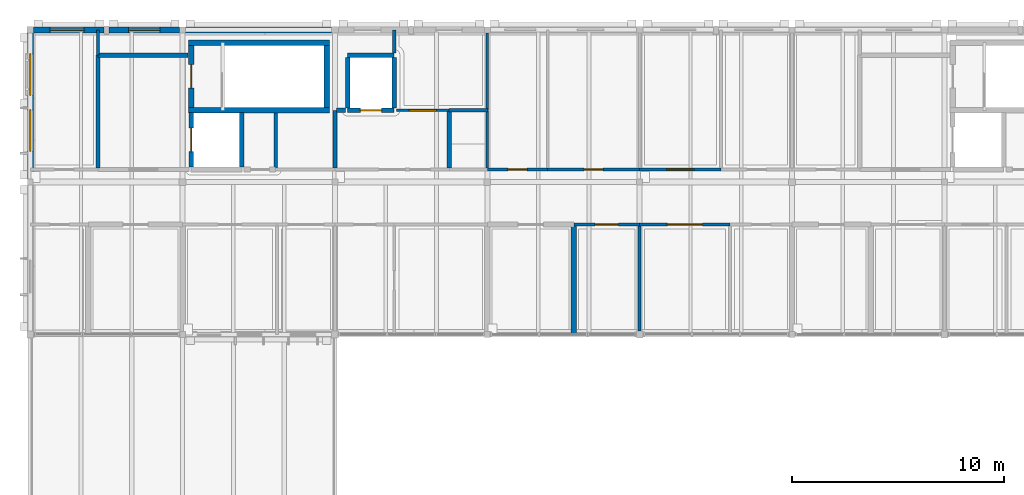
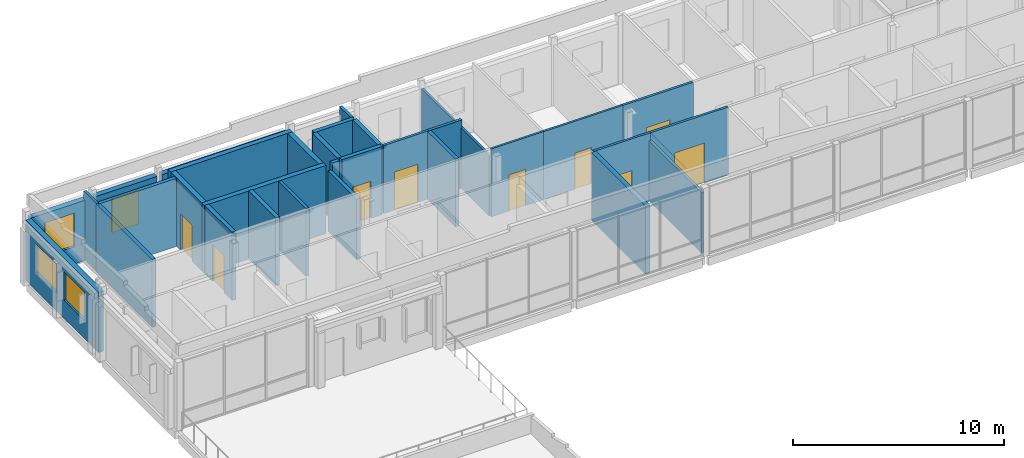
# One storey, part 25 of 32: 33 walls, 9 doors, 4 windows, 13 openings.
"""IFC4 building model written with IfcOpenShell, lengths in metres."""

from ifc_helpers import new_model, si_unit, direction, frame, frame_2d, origin, place, context, subcontext, project, spatial, rectangle, extrude, material, layer, layer_set, type_object, element, fill, save


model = new_model("IFC4")

# Units and contexts
model_context = context("Model", 3, precision=1e-05, world=origin(), true_north=direction((0.0, 1.0)))
body_context = subcontext(model_context, "Body", "Model", "MODEL_VIEW")
ifc_project = project(units=[si_unit("LENGTHUNIT", "METRE"), si_unit("AREAUNIT", "SQUARE_METRE"), si_unit("VOLUMEUNIT", "CUBIC_METRE"), si_unit("PLANEANGLEUNIT", "RADIAN"), si_unit("MASSUNIT", "GRAM", prefix="KILO")], contexts=[model_context])

# Site, building, storey
site_placement = place(None, origin())
site = spatial("IfcSite", under=ifc_project, at=site_placement, CompositionType="ELEMENT")
building_placement = place(site_placement, origin())
building = spatial("IfcBuilding", under=site, at=building_placement, Name="Hawrajan Terrace Health Centre", CompositionType="ELEMENT")
storey_placement = place(building_placement, frame((0.0, 0.0, 17.39990234375)))
storey = spatial("IfcBuildingStorey", under=building, at=storey_placement, Name="L04", CompositionType="ELEMENT", Elevation=17.39990234375)

# Wall, opening, door
ifc_material_1 = material(Name="Gypsum board on acoustic stud framing")
ifc_layer_1 = layer(ifc_material_1, 0.139892578125)
ifc_layer_set_1 = layer_set([ifc_layer_1], Name="Gypsum board on acoustic stud framing")
wall_type_1 = type_object("IfcWallType", Name="ClinicalAcousticWall_140", PredefinedType="PARTITIONING", material=ifc_layer_set_1)
wall_1_placement = place(storey_placement, frame((21.909912109375, 56.0, 0.0), z_axis=(0.0, 0.0, 1.0), x_axis=(1.0, 0.0, 0.0)))
wall_1 = element("IfcWall", 1, at=wall_1_placement, inside=storey, type_object=wall_type_1, Name="Interior wall IW-L04-1434", PredefinedType="PARTITIONING", context=body_context, shape_type="SweptSolid", body=[
    extrude(rectangle(XDim=2.489990234375, YDim=0.139892578125, at=frame_2d((1.2451171875, 0.0))), origin(), (0.0, 0.0, 1.0), 3.93017578125),
])
opening_1_placement = place(wall_1_placement, frame((0.60498046875, 0.0, 0.0)))
opening_1 = element("IfcOpeningElement", 2, at=opening_1_placement, cuts=wall_1, Name="Opening D-L04-652", PredefinedType="OPENING", context=body_context, shape_type="SweptSolid", body=[
    extrude(rectangle(XDim=1.280029296875, YDim=2.199951171875, at=frame_2d((0.64013671875, 1.10009765625))), frame((0.0, 0.079833984375, 0.0), z_axis=(0.0, -1.0, 0.0), x_axis=(1.0, 0.0, 0.0)), (0.0, 0.0, 1.0), 0.159912109375),
])
ifc_material_2 = material(Name="Hardwood acoustic clinical door leaf and frame", Category="wood")
door_type_1 = type_object("IfcDoorType", Name="ExamSuiteDoor_1280x2200", OperationType="NOTDEFINED", PredefinedType="DOOR", material=ifc_material_2)
door_1_placement = place(opening_1_placement, origin())
door_1 = element("IfcDoor", 3, at=door_1_placement, inside=storey, type_object=door_type_1, Name="Interior door D-L04-652", OperationType="SINGLE_SWING_RIGHT", OverallHeight=2.199951171875, OverallWidth=1.280029296875, PredefinedType="DOOR", context=body_context, shape_type="SweptSolid", body=[
    extrude(rectangle(XDim=1.280029296875, YDim=2.199951171875, at=frame_2d((0.64013671875, 1.10009765625))), frame((0.0, 0.02490234375, 0.0), z_axis=(0.0, -1.0, 0.0), x_axis=(1.0, 0.0, 0.0)), (0.0, 0.0, 1.0), 0.050048828125),
])
fill(opening_1, door_1)

wall_2_placement = place(storey_placement, frame((30.2900390625, 50.60009765625, 0.0), z_axis=(0.0, 0.0, 1.0), x_axis=(1.0, 0.0, 0.0)))
wall_2 = element("IfcWall", 4, at=wall_2_placement, inside=storey, type_object=wall_type_1, Name="Interior wall IW-L04-1442", PredefinedType="PARTITIONING", context=body_context, shape_type="SweptSolid", body=[
    extrude(rectangle(XDim=3.10986328125, YDim=0.139892578125, at=frame_2d((1.554931640625, 0.0))), origin(), (0.0, 0.0, 1.0), 3.93017578125),
])
opening_2_placement = place(wall_2_placement, frame((1.0048828125, 0.0, 0.0)))
opening_2 = element("IfcOpeningElement", 5, at=opening_2_placement, cuts=wall_2, Name="Opening D-L04-654", PredefinedType="OPENING", context=body_context, shape_type="SweptSolid", body=[
    extrude(rectangle(XDim=1.10009765625, YDim=2.10009765625, at=frame_2d((0.550048828125, 1.050048828125))), frame((0.0, 0.079833984375, 0.0), z_axis=(0.0, -1.0, 0.0), x_axis=(1.0, 0.0, 0.0)), (0.0, 0.0, 1.0), 0.159912109375),
])
door_type_2 = type_object("IfcDoorType", Name="ConsultDoor_1100x2100", OperationType="NOTDEFINED", PredefinedType="DOOR", material=ifc_material_2)
door_2_placement = place(opening_2_placement, origin())
door_2 = element("IfcDoor", 6, at=door_2_placement, inside=storey, type_object=door_type_2, Name="Interior door D-L04-654", OperationType="SINGLE_SWING_RIGHT", OverallHeight=2.10009765625, OverallWidth=1.10009765625, PredefinedType="DOOR", context=body_context, shape_type="SweptSolid", body=[
    extrude(rectangle(XDim=1.10009765625, YDim=2.10009765625, at=frame_2d((0.550048828125, 1.050048828125))), frame((0.0, 0.02490234375, 0.0), z_axis=(0.0, -1.0, 0.0), x_axis=(1.0, 0.0, 0.0)), (0.0, 0.0, 1.0), 0.050048828125),
])
fill(opening_2, door_2)

# Wall
wall_3_placement = place(storey_placement, frame((33.39990234375, 45.56005859375, 0.0), z_axis=(0.0, 0.0, 1.0), x_axis=(0.0, 1.0, 0.0)))
element("IfcWall", 7, at=wall_3_placement, inside=storey, type_object=wall_type_1, Name="Interior wall IW-L04-1443", PredefinedType="PARTITIONING", context=body_context, shape_type="SweptSolid", body=[
    extrude(rectangle(XDim=4.969970703125, YDim=0.139892578125, at=frame_2d((2.48486328125, 0.0))), origin(), (0.0, 0.0, 1.0), 3.489990234375),
])

# Wall, opening, door
wall_4_placement = place(storey_placement, frame((33.39990234375, 50.60009765625, 0.0), z_axis=(0.0, 0.0, 1.0), x_axis=(1.0, 0.0, 0.0)))
wall_4 = element("IfcWall", 8, at=wall_4_placement, inside=storey, type_object=wall_type_1, Name="Interior wall IW-L04-1444", PredefinedType="PARTITIONING", context=body_context, shape_type="SweptSolid", body=[
    extrude(rectangle(XDim=4.27001953125, YDim=0.139892578125, at=frame_2d((2.135009765625, 0.0))), origin(), (0.0, 0.0, 1.0), 3.93017578125),
])
opening_3_placement = place(wall_4_placement, frame((1.304931640625, 0.0, 0.0)))
opening_3 = element("IfcOpeningElement", 9, at=opening_3_placement, cuts=wall_4, Name="Opening D-L04-655", PredefinedType="OPENING", context=body_context, shape_type="SweptSolid", body=[
    extrude(rectangle(XDim=1.659912109375, YDim=2.300048828125, at=frame_2d((0.830078125, 1.14990234375))), frame((0.0, 0.079833984375, 0.0), z_axis=(0.0, -1.0, 0.0), x_axis=(1.0, 0.0, 0.0)), (0.0, 0.0, 1.0), 0.159912109375),
])
door_type_3 = type_object("IfcDoorType", Name="RehabGymDoor_1660x2300", OperationType="DOUBLE_DOOR_SINGLE_SWING", PredefinedType="DOOR", material=ifc_material_2)
door_3_placement = place(opening_3_placement, origin())
door_3 = element("IfcDoor", 10, at=door_3_placement, inside=storey, type_object=door_type_3, Name="Interior door D-L04-655", OperationType="DOUBLE_DOOR_SINGLE_SWING", OverallHeight=2.300048828125, OverallWidth=1.659912109375, PredefinedType="DOOR", context=body_context, shape_type="SweptSolid", body=[
    extrude(rectangle(XDim=1.659912109375, YDim=2.300048828125, at=frame_2d((0.830078125, 1.14990234375))), frame((0.0, 0.02490234375, 0.0), z_axis=(0.0, -1.0, 0.0), x_axis=(1.0, 0.0, 0.0)), (0.0, 0.0, 1.0), 0.050048828125),
])
fill(opening_3, door_3)

wall_5_placement = place(storey_placement, frame((33.39990234375, 53.199951171875, 0.0), z_axis=(0.0, 0.0, 1.0), x_axis=(1.0, 0.0, 0.0)))
wall_5 = element("IfcWall", 11, at=wall_5_placement, inside=storey, type_object=wall_type_1, Name="Interior wall IW-L04-1446", PredefinedType="PARTITIONING", context=body_context, shape_type="SweptSolid", body=[
    extrude(rectangle(XDim=3.84521484375, YDim=0.139892578125, at=frame_2d((1.922607421875, 0.0))), origin(), (0.0, 0.0, 1.0), 3.93017578125),
])
opening_4_placement = place(wall_5_placement, frame((1.282470703125, 0.0, 0.0)))
opening_4 = element("IfcOpeningElement", 12, at=opening_4_placement, cuts=wall_5, Name="Opening D-L04-657", PredefinedType="OPENING", context=body_context, shape_type="SweptSolid", body=[
    extrude(rectangle(XDim=1.280029296875, YDim=2.199951171875, at=frame_2d((0.64013671875, 1.10009765625))), frame((0.0, 0.079833984375, 0.0), z_axis=(0.0, -1.0, 0.0), x_axis=(1.0, 0.0, 0.0)), (0.0, 0.0, 1.0), 0.159912109375),
])
door_4_placement = place(opening_4_placement, origin())
door_4 = element("IfcDoor", 13, at=door_4_placement, inside=storey, type_object=door_type_1, Name="Interior door D-L04-657", OperationType="SINGLE_SWING_LEFT", OverallHeight=2.199951171875, OverallWidth=1.280029296875, PredefinedType="DOOR", context=body_context, shape_type="SweptSolid", body=[
    extrude(rectangle(XDim=1.280029296875, YDim=2.199951171875, at=frame_2d((0.64013671875, 1.10009765625))), frame((0.0, 0.02490234375, 0.0), z_axis=(0.0, -1.0, 0.0), x_axis=(1.0, 0.0, 0.0)), (0.0, 0.0, 1.0), 0.050048828125),
])
fill(opening_4, door_4)

# Walls
ifc_material_3 = material(Name="Concrete C40/50", Category="concrete")
ifc_layer_2 = layer(ifc_material_3, 0.260009765625)
ifc_layer_set_2 = layer_set([ifc_layer_2], Name="Concrete C40/50")
wall_type_2 = type_object("IfcWallType", Name="CoreShearWall_RC260", PredefinedType="SHEAR", material=ifc_layer_set_2)
for number, where, z_axis, x_axis, name in (
    (14, (12.070068359375, 56.0, 0.0), (0.0, 0.0, 1.0), (1.0, 0.0, 0.0), "Core shear wall SW-C1-L04-S"),
    (15, (12.070068359375, 59.199951171875, 0.0), (0.0, 0.0, 1.0), (1.0, 0.0, 0.0), "Core shear wall SW-C1-L04-N"),
):
    element("IfcWall", number, at=place(storey_placement, frame(where, z_axis=z_axis, x_axis=x_axis)), inside=storey, type_object=wall_type_2, Name=name, PredefinedType="SHEAR", context=body_context, shape_type="SweptSolid", body=[
        extrude(rectangle(XDim=6.659912109375, YDim=0.260009765625, at=frame_2d((3.330078125, 0.0))), origin(), (0.0, 0.0, 1.0), 3.9501953125),
    ])

# Wall, opening, door
wall_6_placement = place(storey_placement, frame((12.199951171875, 56.1298828125, 0.0), z_axis=(0.0, 0.0, 1.0), x_axis=(0.0, 1.0, 0.0)))
wall_6 = element("IfcWall", 16, at=wall_6_placement, inside=storey, type_object=wall_type_2, Name="Core shear wall SW-C1-L04-W", PredefinedType="SHEAR", context=body_context, shape_type="SweptSolid", body=[
    extrude(rectangle(XDim=2.940185546875, YDim=0.260009765625, at=frame_2d((1.47021484375, 0.0))), origin(), (0.0, 0.0, 1.0), 3.9501953125),
])
opening_5_placement = place(wall_6_placement, frame((0.909912109375, 0.0, 0.0)))
opening_5 = element("IfcOpeningElement", 17, at=opening_5_placement, cuts=wall_6, Name="Opening D-L04-635", PredefinedType="OPENING", context=body_context, shape_type="SweptSolid", body=[
    extrude(rectangle(XDim=1.1201171875, YDim=2.10009765625, at=frame_2d((0.56005859375, 1.050048828125))), frame((0.0, 0.139892578125, 0.0), z_axis=(0.0, -1.0, 0.0), x_axis=(1.0, 0.0, 0.0)), (0.0, 0.0, 1.0), 0.280029296875),
])
ifc_material_4 = material(Name="Timber-veneered acoustic fire-resisting door assembly", Category="wood")
door_type_4 = type_object("IfcDoorType", Name="CoreStairDoor_1120x2100", OperationType="NOTDEFINED", PredefinedType="DOOR", material=ifc_material_4)
door_5_placement = place(opening_5_placement, origin())
door_5 = element("IfcDoor", 18, at=door_5_placement, inside=storey, type_object=door_type_4, Name="Interior door D-L04-635", OperationType="SINGLE_SWING_LEFT", OverallHeight=2.10009765625, OverallWidth=1.1201171875, PredefinedType="DOOR", context=body_context, shape_type="SweptSolid", body=[
    extrude(rectangle(XDim=1.1201171875, YDim=2.10009765625, at=frame_2d((0.56005859375, 1.050048828125))), frame((0.0, 0.02490234375, 0.0), z_axis=(0.0, -1.0, 0.0), x_axis=(1.0, 0.0, 0.0)), (0.0, 0.0, 1.0), 0.050048828125),
])
fill(opening_5, door_5)

# Walls
wall_7_placement = place(storey_placement, frame((18.60009765625, 56.1298828125, 0.0), z_axis=(0.0, 0.0, 1.0), x_axis=(0.0, 1.0, 0.0)))
element("IfcWall", 19, at=wall_7_placement, inside=storey, type_object=wall_type_2, Name="Core shear wall SW-C1-L04-E", PredefinedType="SHEAR", context=body_context, shape_type="SweptSolid", body=[
    extrude(rectangle(XDim=2.940185546875, YDim=0.260009765625, at=frame_2d((1.47021484375, 0.0))), origin(), (0.0, 0.0, 1.0), 3.9501953125),
])
ifc_layer_3 = layer(ifc_material_1, 0.159912109375)
ifc_layer_set_3 = layer_set([ifc_layer_3], Name="Gypsum board on acoustic stud framing")
wall_type_3 = type_object("IfcWallType", Name="CorridorFireWall_160", PredefinedType="PARTITIONING", material=ifc_layer_set_3)
wall_8_placement = place(storey_placement, frame((16.199951171875, 53.27001953125, 0.0), z_axis=(0.0, 0.0, 1.0), x_axis=(0.0, 1.0, 0.0)))
element("IfcWall", 20, at=wall_8_placement, inside=storey, type_object=wall_type_3, Name="Interior wall IW-L04-1464", PredefinedType="PARTITIONING", context=body_context, shape_type="SweptSolid", body=[
    extrude(rectangle(XDim=2.590087890625, YDim=0.159912109375, at=frame_2d((1.294921875, 0.0))), origin(), (0.0, 0.0, 1.0), 3.93017578125),
])
wall_9_placement = place(storey_placement, frame((7.800048828125, 58.60009765625, 0.0), z_axis=(0.0, 0.0, 1.0), x_axis=(0.0, 1.0, 0.0)))
element("IfcWall", 21, at=wall_9_placement, inside=storey, type_object=wall_type_3, Name="Interior wall IW-L04-1475", PredefinedType="PARTITIONING", context=body_context, shape_type="SweptSolid", body=[
    extrude(rectangle(XDim=1.199951171875, YDim=0.159912109375, at=frame_2d((0.60009765625, 0.0))), origin(), (0.0, 0.0, 1.0), 3.93017578125),
])
wall_10_placement = place(storey_placement, frame((24.39990234375, 56.0, 0.0), z_axis=(0.0, 0.0, 1.0), x_axis=(1.0, 0.0, 0.0)))
element("IfcWall", 22, at=wall_10_placement, inside=storey, type_object=wall_type_3, Name="Interior wall IW-L04-1476", PredefinedType="PARTITIONING", context=body_context, shape_type="SweptSolid", body=[
    extrude(rectangle(XDim=1.800048828125, YDim=0.159912109375, at=frame_2d((0.89990234375, 0.0))), origin(), (0.0, 0.0, 1.0), 3.93017578125),
])
wall_11_placement = place(storey_placement, frame((21.800048828125, 58.7099609375, 0.0), z_axis=(0.0, 0.0, 1.0), x_axis=(0.0, 1.0, 0.0)))
element("IfcWall", 23, at=wall_11_placement, inside=storey, type_object=wall_type_3, Name="Interior wall IW-L04-1477", PredefinedType="PARTITIONING", context=body_context, shape_type="SweptSolid", body=[
    extrude(rectangle(XDim=1.090087890625, YDim=0.159912109375, at=frame_2d((0.544921875, 0.0))), origin(), (0.0, 0.0, 1.0), 3.93017578125),
])
ifc_material_5 = material(Name="Cross-laminated timber CLT C24", Category="wood")
ifc_layer_4 = layer(ifc_material_5, 0.199951171875)
ifc_layer_set_4 = layer_set([ifc_layer_4], Name="Cross-laminated timber CLT C24")
wall_type_4 = type_object("IfcWallType", Name="FireCompartmentWall_200", PredefinedType="PARTITIONING", material=ifc_layer_set_4)
wall_12_placement = place(storey_placement, frame((7.800048828125, 53.27001953125, 0.0), z_axis=(0.0, 0.0, 1.0), x_axis=(0.0, 1.0, 0.0)))
element("IfcWall", 24, at=wall_12_placement, inside=storey, type_object=wall_type_4, Name="Interior wall IW-L04-1422", PredefinedType="PARTITIONING", context=body_context, shape_type="SweptSolid", body=[
    extrude(rectangle(XDim=5.330078125, YDim=0.199951171875, at=frame_2d((2.6650390625, 0.0))), origin(), (0.0, 0.0, 1.0), 3.93017578125),
])
wall_13_placement = place(storey_placement, frame((12.06005859375, 58.60009765625, 0.0), z_axis=(0.0, 0.0, 1.0), x_axis=(-1.0, 0.0, 0.0)))
element("IfcWall", 25, at=wall_13_placement, inside=storey, type_object=wall_type_4, Name="Interior wall IW-L04-1466", PredefinedType="PARTITIONING", context=body_context, shape_type="SweptSolid", body=[
    extrude(rectangle(XDim=4.260009765625, YDim=0.199951171875, at=frame_2d((2.1298828125, 0.0))), origin(), (0.0, 0.0, 1.0), 3.93017578125),
])
wall_14_placement = place(storey_placement, frame((24.39990234375, 53.27001953125, 0.0), z_axis=(0.0, 0.0, 1.0), x_axis=(0.0, 1.0, 0.0)))
element("IfcWall", 26, at=wall_14_placement, inside=storey, type_object=wall_type_4, Name="Interior wall IW-L04-1468", PredefinedType="PARTITIONING", context=body_context, shape_type="SweptSolid", body=[
    extrude(rectangle(XDim=2.659912109375, YDim=0.199951171875, at=frame_2d((1.330078125, 0.0))), origin(), (0.0, 0.0, 1.0), 3.93017578125),
])
wall_15_placement = place(storey_placement, frame((19.489990234375, 56.0, 0.0), z_axis=(0.0, 0.0, 1.0), x_axis=(-1.0, 0.0, 0.0)))
element("IfcWall", 27, at=wall_15_placement, inside=storey, type_object=wall_type_4, Name="Interior wall IW-L04-1469", PredefinedType="PARTITIONING", context=body_context, shape_type="SweptSolid", body=[
    extrude(rectangle(XDim=0.409912109375, YDim=0.199951171875, at=frame_2d((0.205078125, 0.0))), origin(), (0.0, 0.0, 1.0), 3.93017578125),
])
wall_16_placement = place(storey_placement, frame((19.0, 53.27001953125, 0.0), z_axis=(0.0, 0.0, 1.0), x_axis=(0.0, 1.0, 0.0)))
element("IfcWall", 28, at=wall_16_placement, inside=storey, type_object=wall_type_4, Name="Interior wall IW-L04-1470", PredefinedType="PARTITIONING", context=body_context, shape_type="SweptSolid", body=[
    extrude(rectangle(XDim=2.72998046875, YDim=0.199951171875, at=frame_2d((1.364990234375, 0.0))), origin(), (0.0, 0.0, 1.0), 3.489990234375),
])

# Wall, opening, window
ifc_layer_5 = layer(ifc_material_5, 0.2900390625)
ifc_layer_set_5 = layer_set([ifc_layer_5], Name="Cross-laminated timber CLT C24")
wall_type_5 = type_object("IfcWallType", Name="InsulatedTimberFacade_290", PredefinedType="SOLIDWALL", material=ifc_layer_set_5)
wall_17_placement = place(storey_placement, frame((4.760009765625, 59.800048828125, 0.0), z_axis=(0.0, 0.0, 1.0), x_axis=(1.0, 0.0, 0.0)))
wall_17 = element("IfcWall", 29, at=wall_17_placement, inside=storey, type_object=wall_type_5, Name="Exterior wall EW-L04-H00-07-1", PredefinedType="SOLIDWALL", context=body_context, shape_type="SweptSolid", body=[
    extrude(rectangle(XDim=3.320068359375, YDim=0.2900390625, at=frame_2d((1.66015625, 0.0))), origin(), (0.0, 0.0, 1.0), 3.489990234375),
])
opening_6_placement = place(wall_17_placement, frame((0.77001953125, 0.0, 1.0)))
opening_6 = element("IfcOpeningElement", 30, at=opening_6_placement, cuts=wall_17, Name="Opening W-L04-213", PredefinedType="OPENING", context=body_context, shape_type="SweptSolid", body=[
    extrude(rectangle(XDim=1.6201171875, YDim=1.949951171875, at=frame_2d((0.81005859375, 0.97509765625))), frame((0.0, 0.155029296875, 0.0), z_axis=(0.0, -1.0, 0.0), x_axis=(1.0, 0.0, 0.0)), (0.0, 0.0, 1.0), 0.31005859375),
])
ifc_material_6 = material(Name="Anodized bronze frame with double low-E glazing", Category="glass")
window_type_1 = type_object("IfcWindowType", Name="FacadeWindow_1620x1950", PartitioningType="DOUBLE_PANEL_VERTICAL", PredefinedType="WINDOW", material=ifc_material_6)
window_1_placement = place(opening_6_placement, origin())
window_1 = element("IfcWindow", 31, at=window_1_placement, inside=storey, type_object=window_type_1, Name="Window W-L04-213", OverallHeight=1.949951171875, OverallWidth=1.6201171875, PartitioningType="DOUBLE_PANEL_VERTICAL", PredefinedType="WINDOW", context=body_context, shape_type="SweptSolid", body=[
    extrude(rectangle(XDim=1.6201171875, YDim=1.949951171875, at=frame_2d((0.81005859375, 0.97509765625))), frame((0.0, 0.030029296875, 0.0), z_axis=(0.0, -1.0, 0.0), x_axis=(1.0, 0.0, 0.0)), (0.0, 0.0, 1.0), 0.06005859375),
])
fill(opening_6, window_1)

wall_18_placement = place(storey_placement, frame((8.320068359375, 59.800048828125, 0.0), z_axis=(0.0, 0.0, 1.0), x_axis=(1.0, 0.0, 0.0)))
wall_18 = element("IfcWall", 32, at=wall_18_placement, inside=storey, type_object=wall_type_5, Name="Exterior wall EW-L04-H00-07-2", PredefinedType="SOLIDWALL", context=body_context, shape_type="SweptSolid", body=[
    extrude(rectangle(XDim=3.33984375, YDim=0.2900390625, at=frame_2d((1.669921875, 0.0))), origin(), (0.0, 0.0, 1.0), 3.489990234375),
])
opening_7_placement = place(wall_18_placement, frame((0.929931640625, 0.0, 1.0)))
opening_7 = element("IfcOpeningElement", 33, at=opening_7_placement, cuts=wall_18, Name="Opening W-L04-214", PredefinedType="OPENING", context=body_context, shape_type="SweptSolid", body=[
    extrude(rectangle(XDim=1.47998046875, YDim=1.949951171875, at=frame_2d((0.739990234375, 0.97509765625))), frame((0.0, 0.155029296875, 0.0), z_axis=(0.0, -1.0, 0.0), x_axis=(1.0, 0.0, 0.0)), (0.0, 0.0, 1.0), 0.31005859375),
])
window_type_2 = type_object("IfcWindowType", Name="FacadeWindow_1480x1950", PartitioningType="SINGLE_PANEL", PredefinedType="WINDOW", material=ifc_material_6)
window_2_placement = place(opening_7_placement, origin())
window_2 = element("IfcWindow", 34, at=window_2_placement, inside=storey, type_object=window_type_2, Name="Window W-L04-214", OverallHeight=1.949951171875, OverallWidth=1.47998046875, PartitioningType="SINGLE_PANEL", PredefinedType="WINDOW", context=body_context, shape_type="SweptSolid", body=[
    extrude(rectangle(XDim=1.47998046875, YDim=1.949951171875, at=frame_2d((0.739990234375, 0.97509765625))), frame((0.0, 0.030029296875, 0.0), z_axis=(0.0, -1.0, 0.0), x_axis=(1.0, 0.0, 0.0)), (0.0, 0.0, 1.0), 0.06005859375),
])
fill(opening_7, window_2)

# Wall, openings, windows
wall_19_placement = place(storey_placement, frame((4.60009765625, 52.739990234375, 0.0), z_axis=(0.0, 0.0, 1.0), x_axis=(0.0, 1.0, 0.0)))
wall_19 = element("IfcWall", 35, at=wall_19_placement, inside=storey, type_object=wall_type_5, Name="Exterior wall EW-L04-V00-06-1", PredefinedType="SOLIDWALL", context=body_context, shape_type="SweptSolid", body=[
    extrude(rectangle(XDim=6.89990234375, YDim=0.2900390625, at=frame_2d((3.449951171875, 0.0))), origin(), (0.0, 0.0, 1.0), 3.489990234375),
])
opening_8_placement = place(wall_19_placement, frame((1.320068359375, 0.0, 1.050048828125)))
opening_8 = element("IfcOpeningElement", 36, at=opening_8_placement, cuts=wall_19, Name="Opening W-L04-215", PredefinedType="OPENING", context=body_context, shape_type="SweptSolid", body=[
    extrude(rectangle(XDim=1.9599609375, YDim=1.64990234375, at=frame_2d((0.97998046875, 0.824951171875))), frame((0.0, 0.155029296875, 0.0), z_axis=(0.0, -1.0, 0.0), x_axis=(1.0, 0.0, 0.0)), (0.0, 0.0, 1.0), 0.31005859375),
])
opening_9_placement = place(wall_19_placement, frame((3.9599609375, 0.0, 1.050048828125)))
opening_9 = element("IfcOpeningElement", 37, at=opening_9_placement, cuts=wall_19, Name="Opening W-L04-216", PredefinedType="OPENING", context=body_context, shape_type="SweptSolid", body=[
    extrude(rectangle(XDim=1.9599609375, YDim=1.64990234375, at=frame_2d((0.97998046875, 0.824951171875))), frame((0.0, 0.155029296875, 0.0), z_axis=(0.0, -1.0, 0.0), x_axis=(1.0, 0.0, 0.0)), (0.0, 0.0, 1.0), 0.31005859375),
])
window_type_3 = type_object("IfcWindowType", Name="FacadeWindow_1960x1650", PartitioningType="DOUBLE_PANEL_VERTICAL", PredefinedType="WINDOW", material=ifc_material_6)
window_3_placement = place(opening_8_placement, origin())
window_3 = element("IfcWindow", 38, at=window_3_placement, inside=storey, type_object=window_type_3, Name="Window W-L04-215", OverallHeight=1.64990234375, OverallWidth=1.9599609375, PartitioningType="DOUBLE_PANEL_VERTICAL", PredefinedType="WINDOW", context=body_context, shape_type="SweptSolid", body=[
    extrude(rectangle(XDim=1.9599609375, YDim=1.64990234375, at=frame_2d((0.97998046875, 0.824951171875))), frame((0.0, 0.030029296875, 0.0), z_axis=(0.0, -1.0, 0.0), x_axis=(1.0, 0.0, 0.0)), (0.0, 0.0, 1.0), 0.06005859375),
])
fill(opening_8, window_3)
window_4_placement = place(opening_9_placement, origin())
window_4 = element("IfcWindow", 39, at=window_4_placement, inside=storey, type_object=window_type_3, Name="Window W-L04-216", OverallHeight=1.64990234375, OverallWidth=1.9599609375, PartitioningType="DOUBLE_PANEL_VERTICAL", PredefinedType="WINDOW", context=body_context, shape_type="SweptSolid", body=[
    extrude(rectangle(XDim=1.9599609375, YDim=1.64990234375, at=frame_2d((0.97998046875, 0.824951171875))), frame((0.0, 0.030029296875, 0.0), z_axis=(0.0, -1.0, 0.0), x_axis=(1.0, 0.0, 0.0)), (0.0, 0.0, 1.0), 0.06005859375),
])
fill(opening_9, window_4)

# Walls
wall_20_placement = place(storey_placement, frame((11.93994140625, 59.800048828125, 0.0), z_axis=(0.0, 0.0, 1.0), x_axis=(1.0, 0.0, 0.0)))
element("IfcWall", 40, at=wall_20_placement, inside=storey, type_object=wall_type_5, Name="Exterior wall EW-L04-H01-07-1", PredefinedType="SOLIDWALL", context=body_context, shape_type="SweptSolid", body=[
    extrude(rectangle(XDim=6.900146484375, YDim=0.2900390625, at=frame_2d((3.4501953125, 0.0))), origin(), (0.0, 0.0, 1.0), 3.489990234375),
])
ifc_layer_6 = layer(ifc_material_3, 0.25)
ifc_layer_set_6 = layer_set([ifc_layer_6], Name="Concrete C40/50")
wall_type_6 = type_object("IfcWallType", Name="RadiationShieldWall_RC250", PredefinedType="SOLIDWALL", material=ifc_layer_set_6)
wall_21_placement = place(storey_placement, frame((30.2900390625, 45.39990234375, 0.0), z_axis=(0.0, 0.0, 1.0), x_axis=(0.0, 1.0, 0.0)))
element("IfcWall", 41, at=wall_21_placement, inside=storey, type_object=wall_type_6, Name="Interior wall IW-L04-1441", PredefinedType="SOLIDWALL", context=body_context, shape_type="SweptSolid", body=[
    extrude(rectangle(XDim=5.130126953125, YDim=0.25, at=frame_2d((2.56494140625, 0.0))), origin(), (0.0, 0.0, 1.0), 3.93017578125),
])

# Wall, opening, door
ifc_layer_7 = layer(ifc_material_3, 0.219970703125)
ifc_layer_set_7 = layer_set([ifc_layer_7], Name="Concrete C40/50")
wall_type_7 = type_object("IfcWallType", Name="ShaftWall_RC220", PredefinedType="SOLIDWALL", material=ifc_layer_set_7)
wall_22_placement = place(storey_placement, frame((12.199951171875, 53.31005859375, 0.0), z_axis=(0.0, 0.0, 1.0), x_axis=(0.0, 1.0, 0.0)))
wall_22 = element("IfcWall", 42, at=wall_22_placement, inside=storey, type_object=wall_type_7, Name="Lift shaft wall LW-LC-01-L04-W", PredefinedType="SOLIDWALL", context=body_context, shape_type="SweptSolid", body=[
    extrude(rectangle(XDim=2.579833984375, YDim=0.219970703125, at=frame_2d((1.2900390625, 0.0))), origin(), (0.0, 0.0, 1.0), 3.9501953125),
])
opening_10_placement = place(wall_22_placement, frame((0.739990234375, 0.0, 0.0)))
opening_10 = element("IfcOpeningElement", 43, at=opening_10_placement, cuts=wall_22, Name="Opening LD-L04-LC-01", PredefinedType="OPENING", context=body_context, shape_type="SweptSolid", body=[
    extrude(rectangle(XDim=1.10009765625, YDim=2.14990234375, at=frame_2d((0.550048828125, 1.074951171875))), frame((0.0, 0.119873046875, 0.0), z_axis=(0.0, -1.0, 0.0), x_axis=(1.0, 0.0, 0.0)), (0.0, 0.0, 1.0), 0.239990234375),
])
ifc_material_7 = material(Name="Brushed bronze stainless-steel sliding lift landing door", Category="steel")
door_type_5 = type_object("IfcDoorType", Name="LiftLandingDoor_1100x2150", OperationType="SLIDING_TO_LEFT", PredefinedType="DOOR", material=ifc_material_7)
door_6_placement = place(opening_10_placement, origin())
door_6 = element("IfcDoor", 44, at=door_6_placement, inside=storey, type_object=door_type_5, Name="Lift landing door LD-L04-LC-01", OperationType="SLIDING_TO_LEFT", OverallHeight=2.14990234375, OverallWidth=1.10009765625, PredefinedType="DOOR", context=body_context, shape_type="SweptSolid", body=[
    extrude(rectangle(XDim=1.10009765625, YDim=2.14990234375, at=frame_2d((0.550048828125, 1.074951171875))), frame((0.0, 0.02490234375, 0.0), z_axis=(0.0, -1.0, 0.0), x_axis=(1.0, 0.0, 0.0)), (0.0, 0.0, 1.0), 0.050048828125),
])
fill(opening_10, door_6)

# Wall
wall_23_placement = place(storey_placement, frame((14.60009765625, 53.31005859375, 0.0), z_axis=(0.0, 0.0, 1.0), x_axis=(0.0, 1.0, 0.0)))
element("IfcWall", 45, at=wall_23_placement, inside=storey, type_object=wall_type_7, Name="Lift shaft wall LW-LC-01-L04-E", PredefinedType="SOLIDWALL", context=body_context, shape_type="SweptSolid", body=[
    extrude(rectangle(XDim=2.579833984375, YDim=0.219970703125, at=frame_2d((1.2900390625, 0.0))), origin(), (0.0, 0.0, 1.0), 3.9501953125),
])

# Wall, opening, door
wall_24_placement = place(storey_placement, frame((19.60009765625, 56.0, 0.0), z_axis=(0.0, 0.0, 1.0), x_axis=(1.0, 0.0, 0.0)))
wall_24 = element("IfcWall", 46, at=wall_24_placement, inside=storey, type_object=wall_type_7, Name="Lift shaft wall LW-LC-02-L04-S", PredefinedType="SOLIDWALL", context=body_context, shape_type="SweptSolid", body=[
    extrude(rectangle(XDim=2.199951171875, YDim=0.219970703125, at=frame_2d((1.10009765625, 0.0))), origin(), (0.0, 0.0, 1.0), 3.9501953125),
])
opening_11_placement = place(wall_24_placement, frame((0.60009765625, 0.0, 0.0)))
opening_11 = element("IfcOpeningElement", 47, at=opening_11_placement, cuts=wall_24, Name="Opening LD-L04-LC-02", PredefinedType="OPENING", context=body_context, shape_type="SweptSolid", body=[
    extrude(rectangle(XDim=1.0, YDim=2.14990234375, at=frame_2d((0.5, 1.074951171875))), frame((0.0, 0.119873046875, 0.0), z_axis=(0.0, -1.0, 0.0), x_axis=(1.0, 0.0, 0.0)), (0.0, 0.0, 1.0), 0.239990234375),
])
door_type_6 = type_object("IfcDoorType", Name="LiftLandingDoor_1000x2150", OperationType="SLIDING_TO_LEFT", PredefinedType="DOOR", material=ifc_material_7)
door_7_placement = place(opening_11_placement, origin())
door_7 = element("IfcDoor", 48, at=door_7_placement, inside=storey, type_object=door_type_6, Name="Lift landing door LD-L04-LC-02", OperationType="SLIDING_TO_LEFT", OverallHeight=2.14990234375, OverallWidth=1.0, PredefinedType="DOOR", context=body_context, shape_type="SweptSolid", body=[
    extrude(rectangle(XDim=1.0, YDim=2.14990234375, at=frame_2d((0.5, 1.074951171875))), frame((0.0, 0.02490234375, 0.0), z_axis=(0.0, -1.0, 0.0), x_axis=(1.0, 0.0, 0.0)), (0.0, 0.0, 1.0), 0.050048828125),
])
fill(opening_11, door_7)

# Walls
wall_25_placement = place(storey_placement, frame((19.60009765625, 58.60009765625, 0.0), z_axis=(0.0, 0.0, 1.0), x_axis=(1.0, 0.0, 0.0)))
element("IfcWall", 49, at=wall_25_placement, inside=storey, type_object=wall_type_7, Name="Lift shaft wall LW-LC-02-L04-N", PredefinedType="SOLIDWALL", context=body_context, shape_type="SweptSolid", body=[
    extrude(rectangle(XDim=2.199951171875, YDim=0.219970703125, at=frame_2d((1.10009765625, 0.0))), origin(), (0.0, 0.0, 1.0), 3.9501953125),
])
for number, where, z_axis, x_axis, name in (
    (50, (19.60009765625, 56.110107421875, 0.0), (0.0, 0.0, 1.0), (0.0, 1.0, 0.0), "Lift shaft wall LW-LC-02-L04-W"),
    (51, (21.800048828125, 56.110107421875, 0.0), (0.0, 0.0, 1.0), (0.0, 1.0, 0.0), "Lift shaft wall LW-LC-02-L04-E"),
):
    element("IfcWall", number, at=place(storey_placement, frame(where, z_axis=z_axis, x_axis=x_axis)), inside=storey, type_object=wall_type_7, Name=name, PredefinedType="SOLIDWALL", context=body_context, shape_type="SweptSolid", body=[
        extrude(rectangle(XDim=2.3798828125, YDim=0.219970703125, at=frame_2d((1.18994140625, 0.0))), origin(), (0.0, 0.0, 1.0), 3.9501953125),
    ])

# Wall, opening, door
ifc_material_8 = material(Name="Moisture-resistant board on stud framing")
ifc_layer_8 = layer(ifc_material_8, 0.1201171875)
ifc_layer_set_8 = layer_set([ifc_layer_8], Name="Moisture-resistant board on stud framing")
wall_type_8 = type_object("IfcWallType", Name="WetRoomPartition_120", PredefinedType="PLUMBINGWALL", material=ifc_layer_set_8)
wall_26_placement = place(storey_placement, frame((26.199951171875, 53.199951171875, 0.0), z_axis=(0.0, 0.0, 1.0), x_axis=(1.0, 0.0, 0.0)))
wall_26 = element("IfcWall", 52, at=wall_26_placement, inside=storey, type_object=wall_type_8, Name="Interior wall IW-L04-1437", PredefinedType="PLUMBINGWALL", context=body_context, shape_type="SweptSolid", body=[
    extrude(rectangle(XDim=2.85009765625, YDim=0.1201171875, at=frame_2d((1.425048828125, 0.0))), origin(), (0.0, 0.0, 1.0), 3.93017578125),
])
opening_12_placement = place(wall_26_placement, frame((0.97509765625, 0.0, 0.0)))
opening_12 = element("IfcOpeningElement", 53, at=opening_12_placement, cuts=wall_26, Name="Opening D-L04-644", PredefinedType="OPENING", context=body_context, shape_type="SweptSolid", body=[
    extrude(rectangle(XDim=0.89990234375, YDim=2.10009765625, at=frame_2d((0.449951171875, 1.050048828125))), frame((0.0, 0.070068359375, 0.0), z_axis=(0.0, -1.0, 0.0), x_axis=(1.0, 0.0, 0.0)), (0.0, 0.0, 1.0), 0.14013671875),
])
door_type_7 = type_object("IfcDoorType", Name="PatientWCDoor_900x2100", OperationType="NOTDEFINED", PredefinedType="DOOR", material=ifc_material_2)
door_8_placement = place(opening_12_placement, origin())
door_8 = element("IfcDoor", 54, at=door_8_placement, inside=storey, type_object=door_type_7, Name="Interior door D-L04-644", OperationType="SINGLE_SWING_RIGHT", OverallHeight=2.10009765625, OverallWidth=0.89990234375, PredefinedType="DOOR", context=body_context, shape_type="SweptSolid", body=[
    extrude(rectangle(XDim=0.89990234375, YDim=2.10009765625, at=frame_2d((0.449951171875, 1.050048828125))), frame((0.0, 0.02490234375, 0.0), z_axis=(0.0, -1.0, 0.0), x_axis=(1.0, 0.0, 0.0)), (0.0, 0.0, 1.0), 0.050048828125),
])
fill(opening_12, door_8)

# Wall
wall_27_placement = place(storey_placement, frame((26.199951171875, 56.0, 0.0), z_axis=(0.0, 0.0, 1.0), x_axis=(0.0, 1.0, 0.0)))
element("IfcWall", 55, at=wall_27_placement, inside=storey, type_object=wall_type_8, Name="Interior wall IW-L04-1438", PredefinedType="PLUMBINGWALL", context=body_context, shape_type="SweptSolid", body=[
    extrude(rectangle(XDim=3.659912109375, YDim=0.1201171875, at=frame_2d((1.830078125, 0.0))), origin(), (0.0, 0.0, 1.0), 3.489990234375),
])

# Wall, opening, door
wall_28_placement = place(storey_placement, frame((29.050048828125, 53.199951171875, 0.0), z_axis=(0.0, 0.0, 1.0), x_axis=(1.0, 0.0, 0.0)))
wall_28 = element("IfcWall", 56, at=wall_28_placement, inside=storey, type_object=wall_type_8, Name="Interior wall IW-L04-1440", PredefinedType="PLUMBINGWALL", context=body_context, shape_type="SweptSolid", body=[
    extrude(rectangle(XDim=4.349853515625, YDim=0.1201171875, at=frame_2d((2.1748046875, 0.0))), origin(), (0.0, 0.0, 1.0), 3.93017578125),
])
opening_13_placement = place(wall_28_placement, frame((1.72509765625, 0.0, 0.0)))
opening_13 = element("IfcOpeningElement", 57, at=opening_13_placement, cuts=wall_28, Name="Opening D-L04-645", PredefinedType="OPENING", context=body_context, shape_type="SweptSolid", body=[
    extrude(rectangle(XDim=0.89990234375, YDim=2.10009765625, at=frame_2d((0.449951171875, 1.050048828125))), frame((0.0, 0.070068359375, 0.0), z_axis=(0.0, -1.0, 0.0), x_axis=(1.0, 0.0, 0.0)), (0.0, 0.0, 1.0), 0.14013671875),
])
door_9_placement = place(opening_13_placement, origin())
door_9 = element("IfcDoor", 58, at=door_9_placement, inside=storey, type_object=door_type_7, Name="Interior door D-L04-645", OperationType="SINGLE_SWING_LEFT", OverallHeight=2.10009765625, OverallWidth=0.89990234375, PredefinedType="DOOR", context=body_context, shape_type="SweptSolid", body=[
    extrude(rectangle(XDim=0.89990234375, YDim=2.10009765625, at=frame_2d((0.449951171875, 1.050048828125))), frame((0.0, 0.02490234375, 0.0), z_axis=(0.0, -1.0, 0.0), x_axis=(1.0, 0.0, 0.0)), (0.0, 0.0, 1.0), 0.050048828125),
])
fill(opening_13, door_9)

# Wall
wall_29_placement = place(storey_placement, frame((26.199951171875, 53.27001953125, 0.0), z_axis=(0.0, 0.0, 1.0), x_axis=(0.0, 1.0, 0.0)))
element("IfcWall", 59, at=wall_29_placement, inside=storey, type_object=wall_type_8, Name="Interior wall IW-L04-1474", PredefinedType="PLUMBINGWALL", context=body_context, shape_type="SweptSolid", body=[
    extrude(rectangle(XDim=2.72998046875, YDim=0.1201171875, at=frame_2d((1.364990234375, 0.0))), origin(), (0.0, 0.0, 1.0), 3.489990234375),
])

save(model, "model.ifc")
